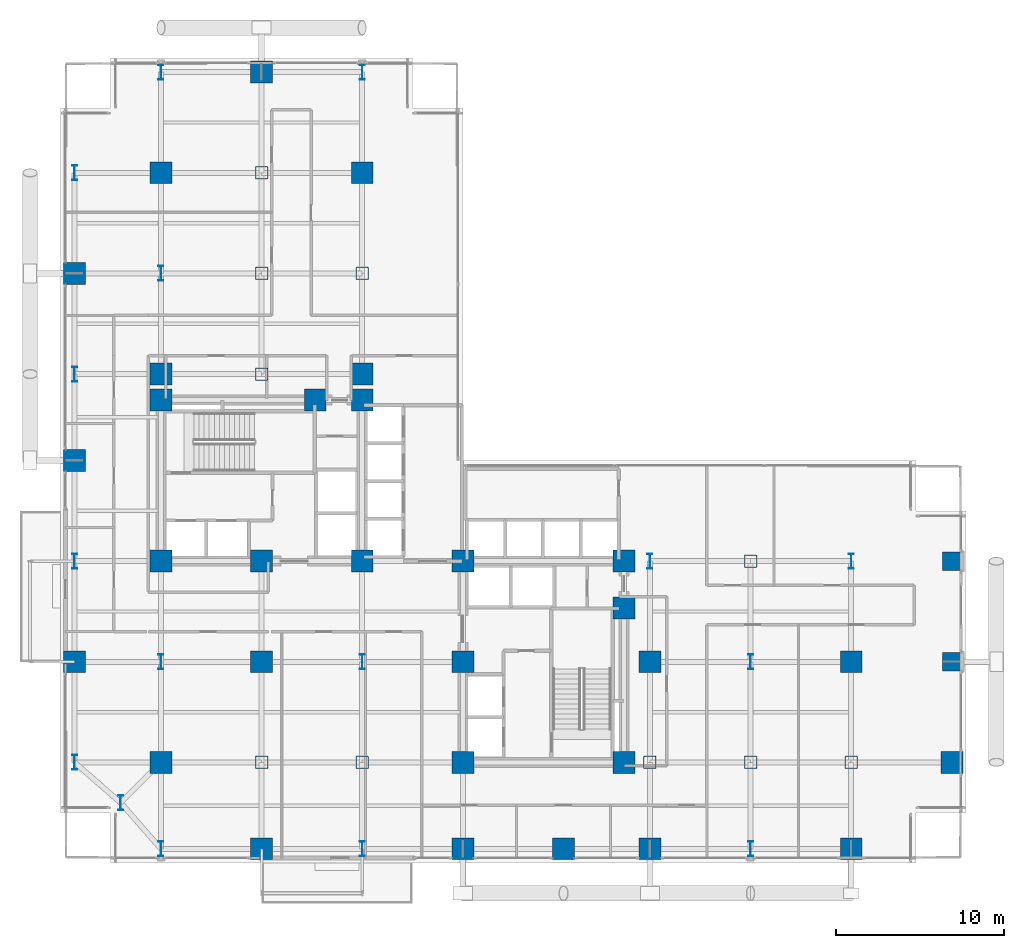
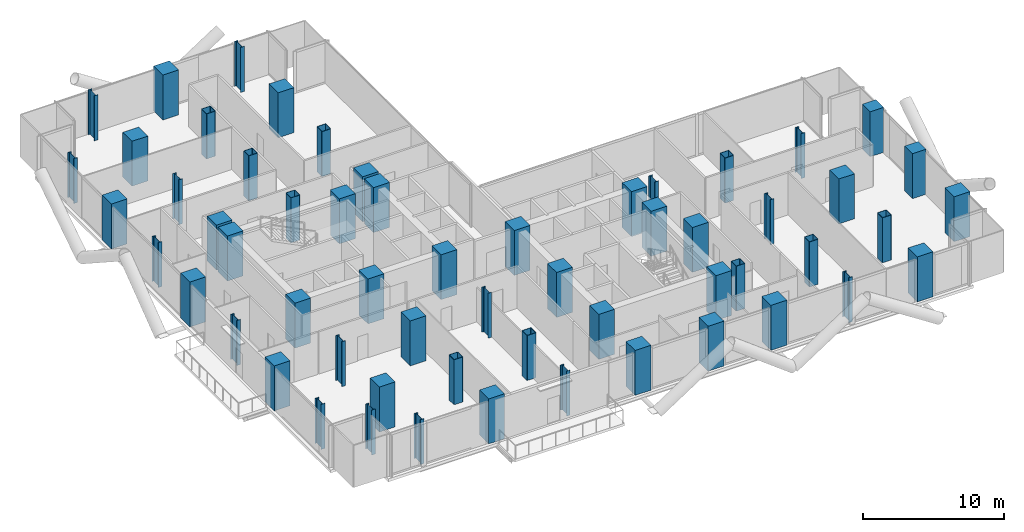
# One storey, part 1 of 25: 58 columns.
"""IFC4 building model written with IfcOpenShell, lengths in metres."""

from ifc_helpers import new_model, si_unit, direction, frame, origin, origin_2d, place, context, subcontext, project, spatial, rectangle, hollow_rectangle, i_section, extrude, material, material_profile, profile_set, type_object, element, save


model = new_model("IFC4")

# Units and contexts
model_context = context("Model", 3, precision=1e-05, world=origin(), true_north=direction((0.0, 1.0)))
body_context = subcontext(model_context, "Body", "Model", "MODEL_VIEW")
ifc_project = project(units=[si_unit("LENGTHUNIT", "METRE"), si_unit("AREAUNIT", "SQUARE_METRE"), si_unit("VOLUMEUNIT", "CUBIC_METRE"), si_unit("PLANEANGLEUNIT", "RADIAN"), si_unit("MASSUNIT", "GRAM", prefix="KILO"), si_unit("THERMODYNAMICTEMPERATUREUNIT", "KELVIN"), si_unit("POWERUNIT", "WATT")], contexts=[model_context])

# Site, building, storey
site_placement = place(None, origin())
site = spatial("IfcSite", under=ifc_project, at=site_placement, CompositionType="ELEMENT")
building_placement = place(site_placement, origin())
building = spatial("IfcBuilding", under=site, at=building_placement, Name="Svarakhadi Broadcast Tower", CompositionType="ELEMENT")
storey_placement = place(building_placement, frame((0.0, 0.0, 36.300048828125)))
storey = spatial("IfcBuildingStorey", under=building, at=storey_placement, Name="L07", CompositionType="ELEMENT", Elevation=36.300048828125)

# Columns
ifc_material_1 = material(Name="Steel S460ML (IS 2062 E450BR)", Category="steel")
ifc_material_profile_1 = material_profile(ifc_material_1, hollow_rectangle(XDim=0.75, YDim=0.75, WallThickness=0.034912109375, InnerFilletRadius=0.034912109375, OuterFilletRadius=0.050048828125, at=origin_2d()), Name="BOX 750x750x35")
ifc_profile_set_1 = profile_set([ifc_material_profile_1], Name="Steel S460ML (IS 2062 E450BR)")
column_type_1 = type_object("IfcColumnType", Name="Col_BOX750", PredefinedType="COLUMN", material=ifc_profile_set_1)
for number, where, z_axis, x_axis, name in (
    (1, (12.0, 6.0, 0.0), (0.0, 0.0, 1.0), (1.0, 0.0, 0.0), "L07 Column G19"),
    (2, (12.0, 29.14990234375, 0.0), (0.0, 0.0, 1.0), (1.0, 0.0, 0.0), "L07 Column G21"),
    (3, (12.0, 35.14990234375, 0.0), (0.0, 0.0, 1.0), (1.0, 0.0, 0.0), "L07 Column G22"),
    (4, (12.0, 41.14990234375, 0.0), (0.0, 0.0, 1.0), (1.0, 0.0, 0.0), "L07 Column G23"),
    (5, (18.0, 6.0, 0.0), (0.0, 0.0, 1.0), (1.0, 0.0, 0.0), "L07 Column G26"),
    (6, (18.0, 35.14990234375, 0.0), (0.0, 0.0, 1.0), (1.0, 0.0, 0.0), "L07 Column G29"),
    (7, (35.14990234375, 6.0, 0.0), (0.0, 0.0, 1.0), (1.0, 0.0, 0.0), "L07 Column G39"),
    (8, (41.14990234375, 6.0, 0.0), (0.0, 0.0, 1.0), (1.0, 0.0, 0.0), "L07 Column G44"),
    (9, (41.14990234375, 18.0, 0.0), (0.0, 0.0, 1.0), (1.0, 0.0, 0.0), "L07 Column G46"),
    (10, (47.14990234375, 6.0, 0.0), (0.0, 0.0, 1.0), (1.0, 0.0, 0.0), "L07 Column G51"),
):
    element("IfcColumn", number, at=place(storey_placement, frame(where, z_axis=z_axis, x_axis=x_axis)), inside=storey, type_object=column_type_1, Name=name, PredefinedType="COLUMN", context=body_context, shape_type="SweptSolid", body=[
        extrude(hollow_rectangle(XDim=0.75, YDim=0.75, WallThickness=0.034912109375, InnerFilletRadius=0.034912109375, OuterFilletRadius=0.050048828125, at=origin_2d()), origin(), (0.0, 0.0, 1.0), 3.89990234375),
    ])
ifc_material_2 = material(Name="Concrete C50/60 (IS 456 M60)", Category="concrete")
ifc_material_profile_2 = material_profile(ifc_material_2, rectangle(XDim=1.10009765625, YDim=1.10009765625, at=origin_2d()), Name="RC 1100x1100")
ifc_profile_set_2 = profile_set([ifc_material_profile_2], Name="Concrete C50/60 (IS 456 M60)")
column_type_2 = type_object("IfcColumnType", Name="Col_RC1100", PredefinedType="COLUMN", material=ifc_profile_set_2)
for number, where, z_axis, x_axis, name in (
    (11, (53.14990234375, 12.0, 0.0), (0.0, 0.0, 1.0), (1.0, 0.0, 0.0), "L07 Zone-1 East Stack Column ZT02"),
    (12, (53.14990234375, 18.0, 0.0), (0.0, 0.0, 1.0), (1.0, 0.0, 0.0), "L07 Zone-1 East Stack Column ZT03"),
):
    element("IfcColumn", number, at=place(storey_placement, frame(where, z_axis=z_axis, x_axis=x_axis)), inside=storey, type_object=column_type_2, Name=name, PredefinedType="COLUMN", context=body_context, shape_type="SweptSolid", body=[
        extrude(rectangle(XDim=1.10009765625, YDim=1.10009765625, at=origin_2d()), origin(), (0.0, 0.0, 1.0), 3.89990234375),
    ])
ifc_material_3 = material(Name="Concrete C60/75 (IS 456 M70)", Category="concrete")
ifc_material_profile_3 = material_profile(ifc_material_3, rectangle(XDim=1.300048828125, YDim=1.300048828125, at=origin_2d()), Name="RC 1300x1300")
ifc_profile_set_3 = profile_set([ifc_material_profile_3], Name="Concrete C60/75 (IS 456 M70)")
column_type_3 = type_object("IfcColumnType", Name="Col_RC1300", PredefinedType="COLUMN", material=ifc_profile_set_3)
for number, where, z_axis, x_axis, name in (
    (13, (6.0, 18.0, 0.0), (0.0, 0.0, 1.0), (1.0, 0.0, 0.0), "L07 Column CW1"),
    (14, (12.0, 18.0, 0.0), (0.0, 0.0, 1.0), (1.0, 0.0, 0.0), "L07 Column CW2"),
    (15, (18.0, 18.0, 0.0), (0.0, 0.0, 1.0), (1.0, 0.0, 0.0), "L07 Column CW3"),
    (16, (6.0, 27.60009765625, 0.0), (0.0, 0.0, 1.0), (1.0, 0.0, 0.0), "L07 Column CW4"),
    (17, (15.199951171875, 27.60009765625, 0.0), (0.0, 0.0, 1.0), (1.0, 0.0, 0.0), "L07 Column CW5"),
    (18, (18.0, 27.60009765625, 0.0), (0.0, 0.0, 1.0), (1.0, 0.0, 0.0), "L07 Column CW6"),
    (19, (24.0, 6.0, 0.0), (0.0, 0.0, 1.0), (1.0, 0.0, 0.0), "L07 Column CE1"),
    (20, (24.0, 12.0, 0.0), (0.0, 0.0, 1.0), (1.0, 0.0, 0.0), "L07 Column CE2"),
    (21, (24.0, 18.0, 0.0), (0.0, 0.0, 1.0), (1.0, 0.0, 0.0), "L07 Column CE3"),
    (22, (33.60009765625, 6.0, 0.0), (0.0, 0.0, 1.0), (1.0, 0.0, 0.0), "L07 Column CE4"),
    (23, (33.60009765625, 15.199951171875, 0.0), (0.0, 0.0, 1.0), (1.0, 0.0, 0.0), "L07 Column CE5"),
    (24, (33.60009765625, 18.0, 0.0), (0.0, 0.0, 1.0), (1.0, 0.0, 0.0), "L07 Column CE6"),
    (25, (0.85009765625, 12.0, 0.0), (0.0, 0.0, 1.0), (1.0, 0.0, 0.0), "L07 Column G04"),
    (26, (0.85009765625, 24.0, 0.0), (0.0, 0.0, 1.0), (1.0, 0.0, 0.0), "L07 Column G06"),
    (27, (0.85009765625, 35.14990234375, 0.0), (0.0, 0.0, 1.0), (1.0, 0.0, 0.0), "L07 Column G08"),
    (28, (6.0, 6.0, 0.0), (0.0, 0.0, 1.0), (1.0, 0.0, 0.0), "L07 Column G12"),
    (29, (6.0, 29.14990234375, 0.0), (0.0, 0.0, 1.0), (1.0, 0.0, 0.0), "L07 Column G14"),
    (30, (6.0, 41.14990234375, 0.0), (0.0, 0.0, 1.0), (1.0, 0.0, 0.0), "L07 Column G16"),
    (31, (12.0, 0.85009765625, 0.0), (0.0, 0.0, 1.0), (1.0, 0.0, 0.0), "L07 Column G18"),
    (32, (12.0, 12.0, 0.0), (0.0, 0.0, 1.0), (1.0, 0.0, 0.0), "L07 Column G20"),
    (33, (12.0, 47.14990234375, 0.0), (0.0, 0.0, 1.0), (1.0, 0.0, 0.0), "L07 Column G24"),
    (34, (18.0, 29.14990234375, 0.0), (0.0, 0.0, 1.0), (1.0, 0.0, 0.0), "L07 Column G28"),
    (35, (18.0, 41.14990234375, 0.0), (0.0, 0.0, 1.0), (1.0, 0.0, 0.0), "L07 Column G30"),
    (36, (24.0, 0.85009765625, 0.0), (0.0, 0.0, 1.0), (1.0, 0.0, 0.0), "L07 Column G32"),
    (37, (30.0, 0.85009765625, 0.0), (0.0, 0.0, 1.0), (1.0, 0.0, 0.0), "L07 Column G36"),
    (38, (35.14990234375, 0.85009765625, 0.0), (0.0, 0.0, 1.0), (1.0, 0.0, 0.0), "L07 Column G38"),
    (39, (35.14990234375, 12.0, 0.0), (0.0, 0.0, 1.0), (1.0, 0.0, 0.0), "L07 Column G40"),
    (40, (47.14990234375, 0.85009765625, 0.0), (0.0, 0.0, 1.0), (1.0, 0.0, 0.0), "L07 Column G50"),
    (41, (47.14990234375, 12.0, 0.0), (0.0, 0.0, 1.0), (1.0, 0.0, 0.0), "L07 Column G52"),
    (42, (53.14990234375, 6.0, 0.0), (0.0, 0.0, 1.0), (1.0, 0.0, 0.0), "L07 Column G58"),
):
    element("IfcColumn", number, at=place(storey_placement, frame(where, z_axis=z_axis, x_axis=x_axis)), inside=storey, type_object=column_type_3, Name=name, PredefinedType="COLUMN", context=body_context, shape_type="SweptSolid", body=[
        extrude(rectangle(XDim=1.300048828125, YDim=1.300048828125, at=origin_2d()), origin(), (0.0, 0.0, 1.0), 3.89990234375),
    ])
ifc_material_profile_4 = material_profile(ifc_material_1, i_section(OverallWidth=0.300048828125, OverallDepth=0.89990234375, WebThickness=0.0185546875, FlangeThickness=0.034912109375, FilletRadius=0.030029296875, at=origin_2d()), Name="WPB 900x300x291")
ifc_profile_set_4 = profile_set([ifc_material_profile_4], Name="Steel S460ML (IS 2062 E450BR)")
column_type_4 = type_object("IfcColumnType", Name="Col_WPB900", PredefinedType="COLUMN", material=ifc_profile_set_4)
for number, where, z_axis, x_axis, name in (
    (43, (3.60009765625, 3.60009765625, 0.0), (0.0, 0.0, 1.0), (1.0, 0.0, 0.0), "L07 Column G01"),
    (44, (0.85009765625, 6.0, 0.0), (0.0, 0.0, 1.0), (1.0, 0.0, 0.0), "L07 Column G03"),
    (45, (0.85009765625, 18.0, 0.0), (0.0, 0.0, 1.0), (1.0, 0.0, 0.0), "L07 Column G05"),
    (46, (0.85009765625, 29.14990234375, 0.0), (0.0, 0.0, 1.0), (1.0, 0.0, 0.0), "L07 Column G07"),
    (47, (0.85009765625, 41.14990234375, 0.0), (0.0, 0.0, 1.0), (1.0, 0.0, 0.0), "L07 Column G09"),
    (48, (6.0, 0.85009765625, 0.0), (0.0, 0.0, 1.0), (1.0, 0.0, 0.0), "L07 Column G11"),
    (49, (6.0, 12.0, 0.0), (0.0, 0.0, 1.0), (1.0, 0.0, 0.0), "L07 Column G13"),
    (50, (6.0, 35.14990234375, 0.0), (0.0, 0.0, 1.0), (1.0, 0.0, 0.0), "L07 Column G15"),
    (51, (6.0, 47.14990234375, 0.0), (0.0, 0.0, 1.0), (1.0, 0.0, 0.0), "L07 Column G17"),
    (52, (18.0, 0.85009765625, 0.0), (0.0, 0.0, 1.0), (1.0, 0.0, 0.0), "L07 Column G25"),
    (53, (18.0, 12.0, 0.0), (0.0, 0.0, 1.0), (1.0, 0.0, 0.0), "L07 Column G27"),
    (54, (18.0, 47.14990234375, 0.0), (0.0, 0.0, 1.0), (1.0, 0.0, 0.0), "L07 Column G31"),
    (55, (35.14990234375, 18.0, 0.0), (0.0, 0.0, 1.0), (1.0, 0.0, 0.0), "L07 Column G41"),
    (56, (41.14990234375, 0.85009765625, 0.0), (0.0, 0.0, 1.0), (1.0, 0.0, 0.0), "L07 Column G43"),
    (57, (41.14990234375, 12.0, 0.0), (0.0, 0.0, 1.0), (1.0, 0.0, 0.0), "L07 Column G45"),
    (58, (47.14990234375, 18.0, 0.0), (0.0, 0.0, 1.0), (1.0, 0.0, 0.0), "L07 Column G53"),
):
    element("IfcColumn", number, at=place(storey_placement, frame(where, z_axis=z_axis, x_axis=x_axis)), inside=storey, type_object=column_type_4, Name=name, PredefinedType="COLUMN", context=body_context, shape_type="SweptSolid", body=[
        extrude(i_section(OverallWidth=0.300048828125, OverallDepth=0.89990234375, WebThickness=0.0185546875, FlangeThickness=0.034912109375, FilletRadius=0.030029296875, at=origin_2d()), origin(), (0.0, 0.0, 1.0), 3.89990234375),
    ])

save(model, "model.ifc")
